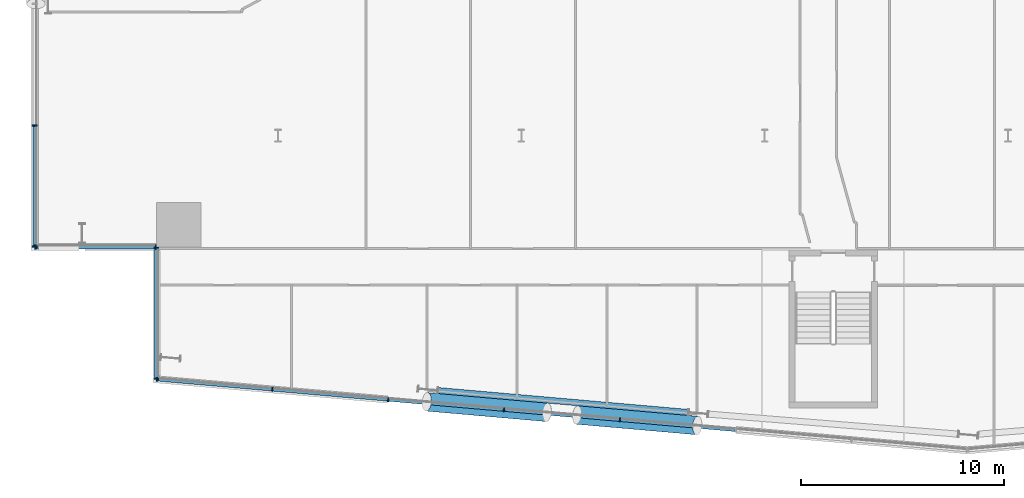
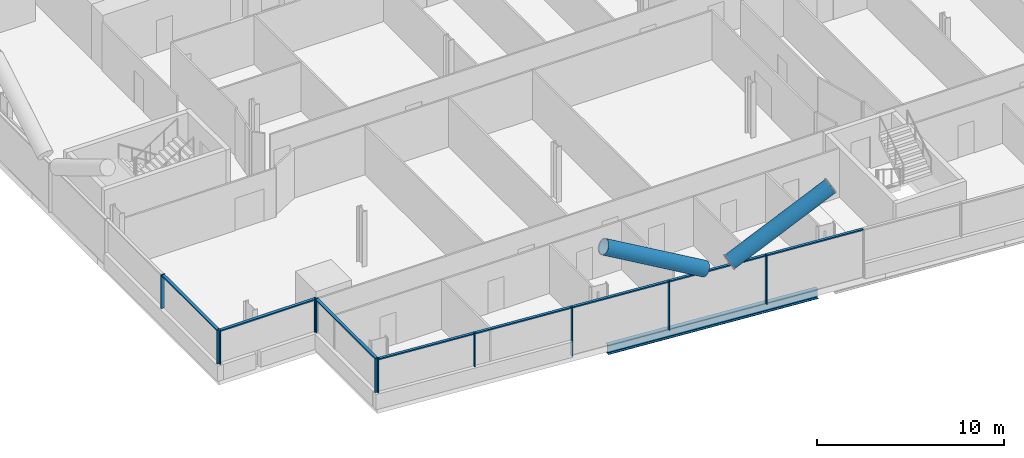
# One storey, part 4 of 27: 21 members, 1 beam, 4 elements without a shape of their own.
"""IFC4 building model written with IfcOpenShell, lengths in metres."""

from ifc_helpers import new_model, si_unit, direction, frame, origin, origin_2d, place, context, subcontext, project, spatial, rectangle, hollow_circle, i_section, extrude, material, material_profile, profile_set, type_object, element, aggregate, save


model = new_model("IFC4")

# Units and contexts
model_context = context("Model", 3, precision=1e-05, world=origin(), true_north=direction((0.0, 1.0)))
body_context = subcontext(model_context, "Body", "Model", "MODEL_VIEW")
ifc_project = project(units=[si_unit("LENGTHUNIT", "METRE"), si_unit("AREAUNIT", "SQUARE_METRE"), si_unit("VOLUMEUNIT", "CUBIC_METRE"), si_unit("PLANEANGLEUNIT", "RADIAN"), si_unit("MASSUNIT", "GRAM", prefix="KILO")], contexts=[model_context])

# Site, building, storey
site_placement = place(None, origin())
site = spatial("IfcSite", under=ifc_project, at=site_placement, CompositionType="ELEMENT")
building_placement = place(site_placement, origin())
building = spatial("IfcBuilding", under=site, at=building_placement, Name="Wharfspan Tower", CompositionType="ELEMENT")
storey_placement = place(building_placement, frame((0.0, 0.0, 55.899902)))
storey = spatial("IfcBuildingStorey", under=building, at=storey_placement, Name="L10", CompositionType="ELEMENT", Elevation=55.899902)

# Beam
ifc_material_1 = material(Name="Steel S355J2", Category="steel")
ifc_material_profile_1 = material_profile(ifc_material_1, i_section(OverallWidth=0.300049, OverallDepth=0.600098, WebThickness=0.015381, FlangeThickness=0.030029, FilletRadius=0.0271, at=origin_2d()))
ifc_profile_set_1 = profile_set([ifc_material_profile_1], Name="Steel S355J2")
beam_type = type_object("IfcBeamType", Name="Edge beam HEB 600", PredefinedType="SPANDREL", material=ifc_profile_set_1)
beam_placement = place(storey_placement, frame((19.888916, -1.077637, -0.699951), z_axis=(0.996195, -0.087154, 0.0), x_axis=(0.087154, 0.996195, 0.0)))
element("IfcBeam", 1, at=beam_placement, inside=storey, type_object=beam_type, Name="Edge beam S1 L10 PS1.2 to PS1.3", PredefinedType="SPANDREL", context=body_context, shape_type="SweptSolid", body=[
    extrude(i_section(OverallWidth=0.300049, OverallDepth=0.600098, WebThickness=0.015381, FlangeThickness=0.030029, FilletRadius=0.0271, at=origin_2d()), origin(), (0.0, 0.0, 1.0), 12.384277),
])

# Curtain wall, members
ifc_material_2 = material(Name="Aluminium 6063-T6", Category="aluminium")
curtain_wall_type_1 = type_object("IfcCurtainWallType", Name="CURTAIN WALL FACETED FRONT", PredefinedType="NOTDEFINED", material=ifc_material_2)
curtain_wall_1_placement = place(storey_placement, origin())
curtain_wall_1 = element("IfcCurtainWall", 2, at=curtain_wall_1_placement, inside=storey, type_object=curtain_wall_type_1, Name="Curtain wall S1", PredefinedType="NOTDEFINED")
ifc_material_profile_2 = material_profile(ifc_material_2, rectangle(XDim=0.199951, YDim=0.060059, at=origin_2d()))
ifc_profile_set_2 = profile_set([ifc_material_profile_2], Name="Aluminium 6063-T6")
member_type_1 = type_object("IfcMemberType", Name="MULLION FACETED FRONT 60x200", PredefinedType="MULLION", material=ifc_profile_set_2)
member_1_placement = place(storey_placement, frame((6.029785, -0.527588, 1.0), z_axis=(0.0, 0.0, 1.0), x_axis=(0.087156, 0.996197, 0.0)))
member_1 = element("IfcMember", 3, at=member_1_placement, type_object=member_type_1, Name="Curtain wall S1 mullion 1", PredefinedType="MULLION", context=body_context, shape_type="SweptSolid", body=[
    extrude(rectangle(XDim=0.199951, YDim=0.060059, at=origin_2d()), origin(), (0.0, 0.0, 1.0), 2.200195),
])
member_2_placement = place(storey_placement, frame((11.714355, -1.024902, 1.0), z_axis=(0.0, 0.0, 1.0), x_axis=(0.087156, 0.996197, 0.0)))
member_2 = element("IfcMember", 4, at=member_2_placement, type_object=member_type_1, Name="Curtain wall S1 mullion 2", PredefinedType="MULLION", context=body_context, shape_type="SweptSolid", body=[
    extrude(rectangle(XDim=0.199951, YDim=0.060059, at=origin_2d()), origin(), (0.0, 0.0, 1.0), 2.200195),
])
member_3_placement = place(storey_placement, frame((17.428467, -1.524902, 0.0), z_axis=(0.0, 0.0, 1.0), x_axis=(0.087156, 0.996197, 0.0)))
member_3 = element("IfcMember", 5, at=member_3_placement, type_object=member_type_1, Name="Curtain wall S1 mullion 3", PredefinedType="MULLION", context=body_context, shape_type="SweptSolid", body=[
    extrude(rectangle(XDim=0.199951, YDim=0.060059, at=origin_2d()), origin(), (0.0, 0.0, 1.0), 3.200195),
])
member_4_placement = place(storey_placement, frame((23.142822, -2.024658, 0.0), z_axis=(0.0, 0.0, 1.0), x_axis=(0.087156, 0.996197, 0.0)))
member_4 = element("IfcMember", 6, at=member_4_placement, type_object=member_type_1, Name="Curtain wall S1 mullion 4", PredefinedType="MULLION", context=body_context, shape_type="SweptSolid", body=[
    extrude(rectangle(XDim=0.199951, YDim=0.060059, at=origin_2d()), origin(), (0.0, 0.0, 1.0), 3.200195),
])
member_5_placement = place(storey_placement, frame((28.857178, -2.524658, 0.0), z_axis=(0.0, 0.0, 1.0), x_axis=(0.087156, 0.996197, 0.0)))
member_5 = element("IfcMember", 7, at=member_5_placement, type_object=member_type_1, Name="Curtain wall S1 mullion 5", PredefinedType="MULLION", context=body_context, shape_type="SweptSolid", body=[
    extrude(rectangle(XDim=0.199951, YDim=0.060059, at=origin_2d()), origin(), (0.0, 0.0, 1.0), 3.200195),
])

curtain_wall_type_2 = type_object("IfcCurtainWallType", Name="CURTAIN WALL PROW AND END", PredefinedType="NOTDEFINED", material=ifc_material_2)
curtain_wall_2_placement = place(storey_placement, origin())
curtain_wall_2 = element("IfcCurtainWall", 8, at=curtain_wall_2_placement, inside=storey, type_object=curtain_wall_type_2, Name="Curtain wall W", PredefinedType="NOTDEFINED")
ifc_material_profile_3 = material_profile(ifc_material_2, rectangle(XDim=0.23999, YDim=0.060059, at=origin_2d()))
ifc_profile_set_3 = profile_set([ifc_material_profile_3], Name="Aluminium 6063-T6")
member_type_2 = type_object("IfcMemberType", Name="MULLION PROW AND END 60x240", PredefinedType="MULLION", material=ifc_profile_set_3)
member_6_placement = place(storey_placement, frame((0.0, 12.0, 1.0), z_axis=(0.0, 0.0, 1.0), x_axis=(1.0, 0.0, 0.0)))
member_6 = element("IfcMember", 9, at=member_6_placement, type_object=member_type_2, Name="Curtain wall W mullion 6", PredefinedType="MULLION", context=body_context, shape_type="SweptSolid", body=[
    extrude(rectangle(XDim=0.23999, YDim=0.060059, at=origin_2d()), origin(), (0.0, 0.0, 1.0), 2.200195),
])
member_7_placement = place(storey_placement, frame((0.0, 6.030029, 1.0), z_axis=(0.0, 0.0, 1.0), x_axis=(1.0, 0.0, 0.0)))
member_7 = element("IfcMember", 10, at=member_7_placement, type_object=member_type_2, Name="Curtain wall W mullion 7", PredefinedType="MULLION", context=body_context, shape_type="SweptSolid", body=[
    extrude(rectangle(XDim=0.23999, YDim=0.060059, at=origin_2d()), origin(), (0.0, 0.0, 1.0), 2.200195),
])

curtain_wall_3_placement = place(storey_placement, origin())
curtain_wall_3 = element("IfcCurtainWall", 11, at=curtain_wall_3_placement, inside=storey, type_object=curtain_wall_type_2, Name="Curtain wall NFW-H", PredefinedType="NOTDEFINED")
member_8_placement = place(storey_placement, frame((0.030029, 6.0, 1.0), z_axis=(0.0, 0.0, 1.0), x_axis=(0.0, 1.0, 0.0)))
member_8 = element("IfcMember", 12, at=member_8_placement, type_object=member_type_2, Name="Curtain wall NFW-H mullion 1", PredefinedType="MULLION", context=body_context, shape_type="SweptSolid", body=[
    extrude(rectangle(XDim=0.23999, YDim=0.060059, at=origin_2d()), origin(), (0.0, 0.0, 1.0), 2.200195),
])
member_9_placement = place(storey_placement, frame((5.969971, 6.0, 1.0), z_axis=(0.0, 0.0, 1.0), x_axis=(0.0, 1.0, 0.0)))
member_9 = element("IfcMember", 13, at=member_9_placement, type_object=member_type_2, Name="Curtain wall NFW-H mullion 2", PredefinedType="MULLION", context=body_context, shape_type="SweptSolid", body=[
    extrude(rectangle(XDim=0.23999, YDim=0.060059, at=origin_2d()), origin(), (0.0, 0.0, 1.0), 2.200195),
])

curtain_wall_4_placement = place(storey_placement, origin())
curtain_wall_4 = element("IfcCurtainWall", 14, at=curtain_wall_4_placement, inside=storey, type_object=curtain_wall_type_2, Name="Curtain wall NFW-V", PredefinedType="NOTDEFINED")
member_10_placement = place(storey_placement, frame((6.0, 5.969971, 1.0), z_axis=(0.0, 0.0, 1.0), x_axis=(1.0, 0.0, 0.0)))
member_10 = element("IfcMember", 15, at=member_10_placement, type_object=member_type_2, Name="Curtain wall NFW-V mullion 1", PredefinedType="MULLION", context=body_context, shape_type="SweptSolid", body=[
    extrude(rectangle(XDim=0.23999, YDim=0.060059, at=origin_2d()), origin(), (0.0, 0.0, 1.0), 2.200195),
])
member_11_placement = place(storey_placement, frame((6.0, -0.494873, 1.0), z_axis=(0.0, 0.0, 1.0), x_axis=(1.0, 0.0, 0.0)))
member_11 = element("IfcMember", 16, at=member_11_placement, type_object=member_type_2, Name="Curtain wall NFW-V mullion 2", PredefinedType="MULLION", context=body_context, shape_type="SweptSolid", body=[
    extrude(rectangle(XDim=0.23999, YDim=0.060059, at=origin_2d()), origin(), (0.0, 0.0, 1.0), 2.200195),
])

# Members
ifc_material_3 = material(Name="Steel S460NH", Category="steel")
ifc_material_profile_4 = material_profile(ifc_material_3, hollow_circle(Radius=0.457031, WallThickness=0.040039, at=origin_2d()))
ifc_profile_set_4 = profile_set([ifc_material_profile_4], Name="Steel S460NH")
member_type_3 = type_object("IfcMemberType", Name="Mega brace CHS 914x40", PredefinedType="BRACE", material=ifc_profile_set_4)
for number, where, z_axis, x_axis, name in (
    (17, (26.746338, -2.284912, 3.300537), (0.877314, -0.076746, 0.47374), (0.087144, 0.996196, 3e-06), "Mega brace S1 L10 part 2"),
    (18, (25.263184, -2.155029, 3.300537), (-0.877314, 0.076746, 0.47374), (-0.087144, -0.996196, 3e-06), "Mega brace S1 L10 part 4"),
):
    element("IfcMember", number, at=place(storey_placement, frame(where, z_axis=z_axis, x_axis=x_axis)), inside=storey, type_object=member_type_3, Name=name, PredefinedType="BRACE", context=body_context, shape_type="SweptSolid", body=[
        extrude(hollow_circle(Radius=0.457031, WallThickness=0.040039, at=origin_2d()), origin(), (0.0, 0.0, 1.0), 6.753662),
    ])

# Member
ifc_material_profile_5 = material_profile(ifc_material_2, rectangle(XDim=0.159912, YDim=0.080078, at=origin_2d()))
ifc_profile_set_5 = profile_set([ifc_material_profile_5], Name="Aluminium 6063-T6")
member_type_4 = type_object("IfcMemberType", Name="TRANSOM FACETED FRONT 80x160", PredefinedType="USERDEFINED", material=ifc_profile_set_5)
member_12_placement = place(storey_placement, frame((6.059814, -0.530273, 3.160156), z_axis=(0.996197, -0.087132, 0.0), x_axis=(0.087132, 0.996197, 0.0)))
member_12 = element("IfcMember", 19, at=member_12_placement, type_object=member_type_4, Name="Curtain wall S1 transom 1", ObjectType="TRANSOM", PredefinedType="USERDEFINED", context=body_context, shape_type="SweptSolid", body=[
    extrude(rectangle(XDim=0.159912, YDim=0.080078, at=origin_2d()), origin(), (0.0, 0.0, 1.0), 5.645996),
])

member_13_placement = place(storey_placement, frame((11.744141, -1.027588, 3.160156), z_axis=(0.996196, -0.087142, 0.0), x_axis=(0.087142, 0.996196, 0.0)))
member_13 = element("IfcMember", 20, at=member_13_placement, type_object=member_type_4, Name="Curtain wall S1 transom 2", ObjectType="TRANSOM", PredefinedType="USERDEFINED", context=body_context, shape_type="SweptSolid", body=[
    extrude(rectangle(XDim=0.159912, YDim=0.080078, at=origin_2d()), origin(), (0.0, 0.0, 1.0), 5.676025),
])

member_14_placement = place(storey_placement, frame((17.458496, -1.527344, 3.160156), z_axis=(0.996192, -0.087185, 0.0), x_axis=(0.087185, 0.996192, 0.0)))
member_14 = element("IfcMember", 21, at=member_14_placement, type_object=member_type_4, Name="Curtain wall S1 transom 3", ObjectType="TRANSOM", PredefinedType="USERDEFINED", context=body_context, shape_type="SweptSolid", body=[
    extrude(rectangle(XDim=0.159912, YDim=0.080078, at=origin_2d()), origin(), (0.0, 0.0, 1.0), 5.67627),
])

member_15_placement = place(storey_placement, frame((23.172852, -2.027344, 3.160156), z_axis=(0.996196, -0.087146, 0.0), x_axis=(0.087146, 0.996196, 0.0)))
member_15 = element("IfcMember", 22, at=member_15_placement, type_object=member_type_4, Name="Curtain wall S1 transom 4", ObjectType="TRANSOM", PredefinedType="USERDEFINED", context=body_context, shape_type="SweptSolid", body=[
    extrude(rectangle(XDim=0.159912, YDim=0.080078, at=origin_2d()), origin(), (0.0, 0.0, 1.0), 5.675781),
])

member_16_placement = place(storey_placement, frame((28.886963, -2.527344, 3.160156), z_axis=(0.996196, -0.087142, 0.0), x_axis=(0.087142, 0.996196, 0.0)))
member_16 = element("IfcMember", 23, at=member_16_placement, type_object=member_type_4, Name="Curtain wall S1 transom 5", ObjectType="TRANSOM", PredefinedType="USERDEFINED", context=body_context, shape_type="SweptSolid", body=[
    extrude(rectangle(XDim=0.159912, YDim=0.080078, at=origin_2d()), origin(), (0.0, 0.0, 1.0), 5.676025),
])

aggregate(curtain_wall_1, [member_1, member_2, member_3, member_4, member_5, member_12, member_13, member_14, member_15, member_16])

ifc_material_profile_6 = material_profile(ifc_material_2, rectangle(XDim=0.179932, YDim=0.080078, at=origin_2d()))
ifc_profile_set_6 = profile_set([ifc_material_profile_6], Name="Aluminium 6063-T6")
member_type_5 = type_object("IfcMemberType", Name="TRANSOM PROW AND END 80x180", PredefinedType="USERDEFINED", material=ifc_profile_set_6)
member_17_placement = place(storey_placement, frame((0.0, 11.969971, 3.160156), z_axis=(0.0, -1.0, 0.0), x_axis=(1.0, 0.0, 0.0)))
member_17 = element("IfcMember", 24, at=member_17_placement, type_object=member_type_5, Name="Curtain wall W transom 6", ObjectType="TRANSOM", PredefinedType="USERDEFINED", context=body_context, shape_type="SweptSolid", body=[
    extrude(rectangle(XDim=0.179932, YDim=0.080078, at=origin_2d()), origin(), (0.0, 0.0, 1.0), 5.909912),
])

aggregate(curtain_wall_2, [member_6, member_7, member_17])

member_18_placement = place(storey_placement, frame((0.060059, 6.0, 3.160156), z_axis=(1.0, 0.0, 0.0), x_axis=(0.0, 1.0, 0.0)))
member_18 = element("IfcMember", 25, at=member_18_placement, type_object=member_type_5, Name="Curtain wall NFW-H transom 1", ObjectType="TRANSOM", PredefinedType="USERDEFINED", context=body_context, shape_type="SweptSolid", body=[
    extrude(rectangle(XDim=0.179932, YDim=0.080078, at=origin_2d()), origin(), (0.0, 0.0, 1.0), 5.879883),
])

aggregate(curtain_wall_3, [member_8, member_9, member_18])

member_19_placement = place(storey_placement, frame((6.0, 5.939941, 3.160156), z_axis=(0.0, -1.0, 0.0), x_axis=(1.0, 0.0, 0.0)))
member_19 = element("IfcMember", 26, at=member_19_placement, type_object=member_type_5, Name="Curtain wall NFW-V transom 1", ObjectType="TRANSOM", PredefinedType="USERDEFINED", context=body_context, shape_type="SweptSolid", body=[
    extrude(rectangle(XDim=0.179932, YDim=0.080078, at=origin_2d()), origin(), (0.0, 0.0, 1.0), 6.404785),
])

aggregate(curtain_wall_4, [member_10, member_11, member_19])

save(model, "model.ifc")
